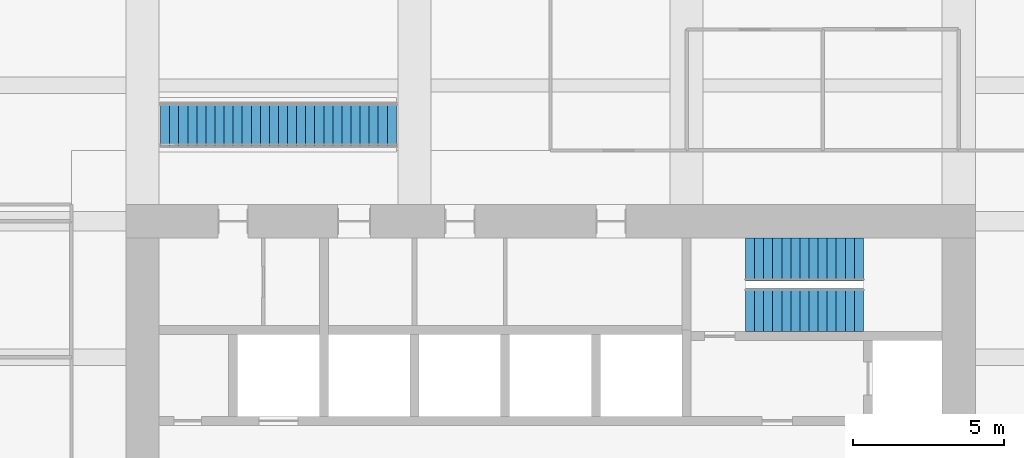
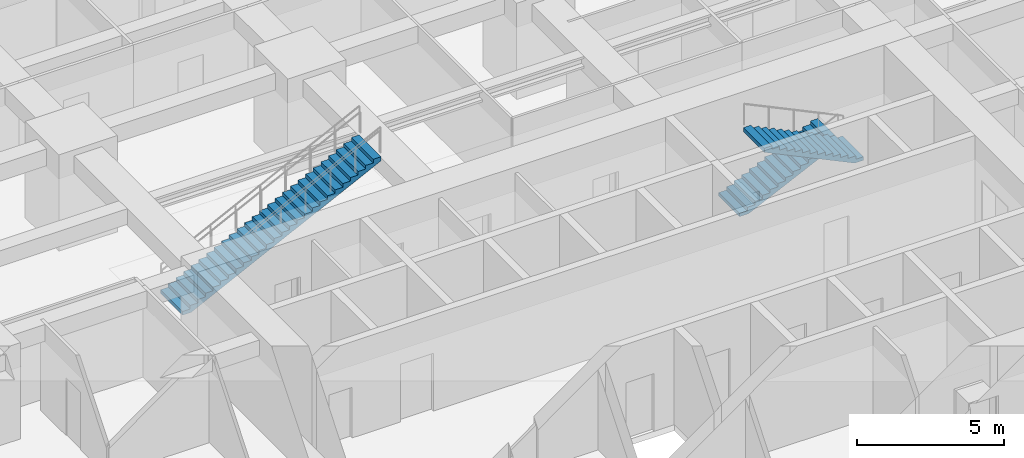
# One storey, part 43 of 45: 3 stair flights, 2 elements without a shape of their own.
"""IFC4 building model written with IfcOpenShell, lengths in metres."""

from ifc_helpers import new_model, si_unit, direction, frame, origin, place, context, subcontext, project, spatial, polyline, outline, extrude, material, constituent, constituent_set, type_object, element, aggregate, save


model = new_model("IFC4")

# Units and contexts
model_context = context("Model", 3, precision=1e-05, world=origin(), true_north=direction((0.0, 1.0)))
body_context = subcontext(model_context, "Body", "Model", "MODEL_VIEW")
ifc_project = project(units=[si_unit("LENGTHUNIT", "METRE"), si_unit("AREAUNIT", "SQUARE_METRE"), si_unit("VOLUMEUNIT", "CUBIC_METRE"), si_unit("PLANEANGLEUNIT", "RADIAN"), si_unit("MASSUNIT", "GRAM", prefix="KILO")], contexts=[model_context])

# Site, building, storey
site_placement = place(None, origin())
site = spatial("IfcSite", under=ifc_project, at=site_placement, CompositionType="ELEMENT")
building_placement = place(site_placement, origin())
building = spatial("IfcBuilding", under=site, at=building_placement, Name="Zorevar Civic Tower", CompositionType="ELEMENT")
storey_placement = place(building_placement, frame((0.0, 0.0, 39.800048828125)))
storey = spatial("IfcBuildingStorey", under=building, at=storey_placement, Name="L09", CompositionType="ELEMENT", Elevation=39.800048828125)

# Stair, stair flight
ifc_material_1 = material(Name="Steel S355", Category="steel")
ifc_constituent_1 = constituent(ifc_material_1, Name="Structure")
ifc_material_2 = material(Name="Stone treads", Category="masonry")
ifc_constituent_2 = constituent(ifc_material_2, Name="Finish")
ifc_constituent_set_1 = constituent_set(constituents=[ifc_constituent_1, ifc_constituent_2], Name="Steel S355")
stair_type_1 = type_object("IfcStairType", Name="Interconnecting stair IS1", PredefinedType="STRAIGHT_RUN_STAIR", material=ifc_constituent_set_1)
stair_1_placement = place(storey_placement, origin())
stair_1 = element("IfcStair", 1, at=stair_1_placement, inside=storey, type_object=stair_type_1, Name="Interconnecting stair IS1 L09 to L10", PredefinedType="STRAIGHT_RUN_STAIR")
ifc_material_3 = material(Name="Steel S355", Category="steel")
ifc_constituent_3 = constituent(ifc_material_3, Name="Structure")
ifc_material_4 = material(Name="Stone treads", Category="masonry")
ifc_constituent_4 = constituent(ifc_material_4, Name="Finish")
ifc_constituent_set_2 = constituent_set(constituents=[ifc_constituent_3, ifc_constituent_4], Name="Steel S355")
stair_flight_type_1 = type_object("IfcStairFlightType", Name="Interconnecting stair flight", PredefinedType="STRAIGHT", material=ifc_constituent_set_2)
stair_flight_1_placement = place(storey_placement, frame((18.60009765625, 39.199951171875, 0.0), z_axis=(0.0, 0.0, 1.0), x_axis=(1.0, 0.0, 0.0)))
stair_flight_1 = element("IfcStairFlight", 2, at=stair_flight_1_placement, type_object=stair_flight_type_1, Name="IS1 flight 1", NumberOfRisers=27, NumberOfTreads=26, PredefinedType="STRAIGHT", RiserHeight=0.148148148, TreadLength=0.3, context=body_context, shape_type="SweptSolid", body=[
    extrude(outline(polyline([(0.0, 0.0), (0.0, 0.148193359375), (0.300048828125, 0.148193359375), (0.300048828125, 0.29638671875), (0.60009765625, 0.29638671875), (0.60009765625, 0.4443359375), (0.89990234375, 0.4443359375), (0.89990234375, 0.592529296875), (1.199951171875, 0.592529296875), (1.199951171875, 0.74072265625), (1.5, 0.74072265625), (1.5, 0.888916015625), (1.800048828125, 0.888916015625), (1.800048828125, 1.037109375), (2.10009765625, 1.037109375), (2.10009765625, 1.185302734375), (2.39990234375, 1.185302734375), (2.39990234375, 1.333251953125), (2.699951171875, 1.333251953125), (2.699951171875, 1.4814453125), (3.0, 1.4814453125), (3.0, 1.629638671875), (3.300048828125, 1.629638671875), (3.300048828125, 1.77783203125), (3.60009765625, 1.77783203125), (3.60009765625, 1.926025390625), (3.89990234375, 1.926025390625), (3.89990234375, 2.073974609375), (4.199951171875, 2.073974609375), (4.199951171875, 2.22216796875), (4.5, 2.22216796875), (4.5, 2.370361328125), (4.800048828125, 2.370361328125), (4.800048828125, 2.5185546875), (5.10009765625, 2.5185546875), (5.10009765625, 2.666748046875), (5.39990234375, 2.666748046875), (5.39990234375, 2.814697265625), (5.699951171875, 2.814697265625), (5.699951171875, 2.962890625), (6.0, 2.962890625), (6.0, 3.111083984375), (6.300048828125, 3.111083984375), (6.300048828125, 3.25927734375), (6.60009765625, 3.25927734375), (6.60009765625, 3.407470703125), (6.89990234375, 3.407470703125), (6.89990234375, 3.5556640625), (7.199951171875, 3.5556640625), (7.199951171875, 3.70361328125), (7.5, 3.70361328125), (7.5, 3.851806640625), (7.800048828125, 3.851806640625), (7.800048828125, 4.0), (7.800048828125, 3.6845703125), (0.338623046875, 0.0), (0.0, 0.0)])), frame((0.0, 0.75, 0.0), z_axis=(0.0, -1.0, 0.0), x_axis=(1.0, 0.0, 0.0)), (0.0, 0.0, 1.0), 1.5),
])
aggregate(stair_1, [stair_flight_1])

# Stair, stair flights
ifc_material_5 = material(Name="Precast concrete C40/50", Category="concrete")
stair_type_2 = type_object("IfcStairType", Name="Stair ST 28R", PredefinedType="HALF_TURN_STAIR", material=ifc_material_5)
stair_2_placement = place(storey_placement, origin())
stair_2 = element("IfcStair", 3, at=stair_2_placement, inside=storey, type_object=stair_type_2, Name="Stair ST2 L09", PredefinedType="HALF_TURN_STAIR")
ifc_material_6 = material(Name="Precast concrete C40/50", Category="concrete")
stair_flight_type_2 = type_object("IfcStairFlightType", Name="Stair flight", PredefinedType="STRAIGHT", material=ifc_material_6)
stair_flight_2_placement = place(storey_placement, frame((37.949951171875, 34.737548828125, 0.0), z_axis=(0.0, 0.0, 1.0), x_axis=(1.0, 0.0, 0.0)))
stair_flight_2 = element("IfcStairFlight", 4, at=stair_flight_2_placement, type_object=stair_flight_type_2, Name="ST2 flight 1", NumberOfRisers=14, NumberOfTreads=13, PredefinedType="STRAIGHT", RiserHeight=0.142857143, TreadLength=0.3, context=body_context, shape_type="SweptSolid", body=[
    extrude(outline(polyline([(0.0, 0.0), (0.0, 0.142822265625), (0.300048828125, 0.142822265625), (0.300048828125, 0.28564453125), (0.60009765625, 0.28564453125), (0.60009765625, 0.428466796875), (0.89990234375, 0.428466796875), (0.89990234375, 0.571533203125), (1.199951171875, 0.571533203125), (1.199951171875, 0.71435546875), (1.5, 0.71435546875), (1.5, 0.857177734375), (1.800048828125, 0.857177734375), (1.800048828125, 1.0), (2.10009765625, 1.0), (2.10009765625, 1.142822265625), (2.39990234375, 1.142822265625), (2.39990234375, 1.28564453125), (2.699951171875, 1.28564453125), (2.699951171875, 1.428466796875), (3.0, 1.428466796875), (3.0, 1.571533203125), (3.300048828125, 1.571533203125), (3.300048828125, 1.71435546875), (3.60009765625, 1.71435546875), (3.60009765625, 1.857177734375), (3.89990234375, 1.857177734375), (3.89990234375, 2.0), (3.89990234375, 1.691162109375), (0.3486328125, 0.0), (0.0, 0.0)])), frame((0.0, 0.71240234375, 0.0), z_axis=(0.0, -1.0, 0.0), x_axis=(1.0, 0.0, 0.0)), (0.0, 0.0, 1.0), 1.425048828125),
])
stair_flight_3_placement = place(storey_placement, frame((41.85009765625, 33.0625, 2.0), z_axis=(0.0, 0.0, 1.0), x_axis=(-1.0, 0.0, 0.0)))
stair_flight_3 = element("IfcStairFlight", 5, at=stair_flight_3_placement, type_object=stair_flight_type_2, Name="ST2 flight 2", NumberOfRisers=14, NumberOfTreads=13, PredefinedType="STRAIGHT", RiserHeight=0.142857143, TreadLength=0.3, context=body_context, shape_type="SweptSolid", body=[
    extrude(outline(polyline([(0.0, 0.0), (0.0, 0.142822265625), (0.300048828125, 0.142822265625), (0.300048828125, 0.28564453125), (0.60009765625, 0.28564453125), (0.60009765625, 0.428466796875), (0.89990234375, 0.428466796875), (0.89990234375, 0.571533203125), (1.199951171875, 0.571533203125), (1.199951171875, 0.71435546875), (1.5, 0.71435546875), (1.5, 0.857177734375), (1.800048828125, 0.857177734375), (1.800048828125, 1.0), (2.10009765625, 1.0), (2.10009765625, 1.142822265625), (2.39990234375, 1.142822265625), (2.39990234375, 1.28564453125), (2.699951171875, 1.28564453125), (2.699951171875, 1.428466796875), (3.0, 1.428466796875), (3.0, 1.571533203125), (3.300048828125, 1.571533203125), (3.300048828125, 1.71435546875), (3.60009765625, 1.71435546875), (3.60009765625, 1.857177734375), (3.89990234375, 1.857177734375), (3.89990234375, 2.0), (3.89990234375, 1.691162109375), (0.3486328125, 0.0), (0.0, 0.0)])), frame((0.0, 0.71240234375, 0.0), z_axis=(0.0, -1.0, 0.0), x_axis=(1.0, 0.0, 0.0)), (0.0, 0.0, 1.0), 1.425048828125),
])
aggregate(stair_2, [stair_flight_2, stair_flight_3])

save(model, "model.ifc")
